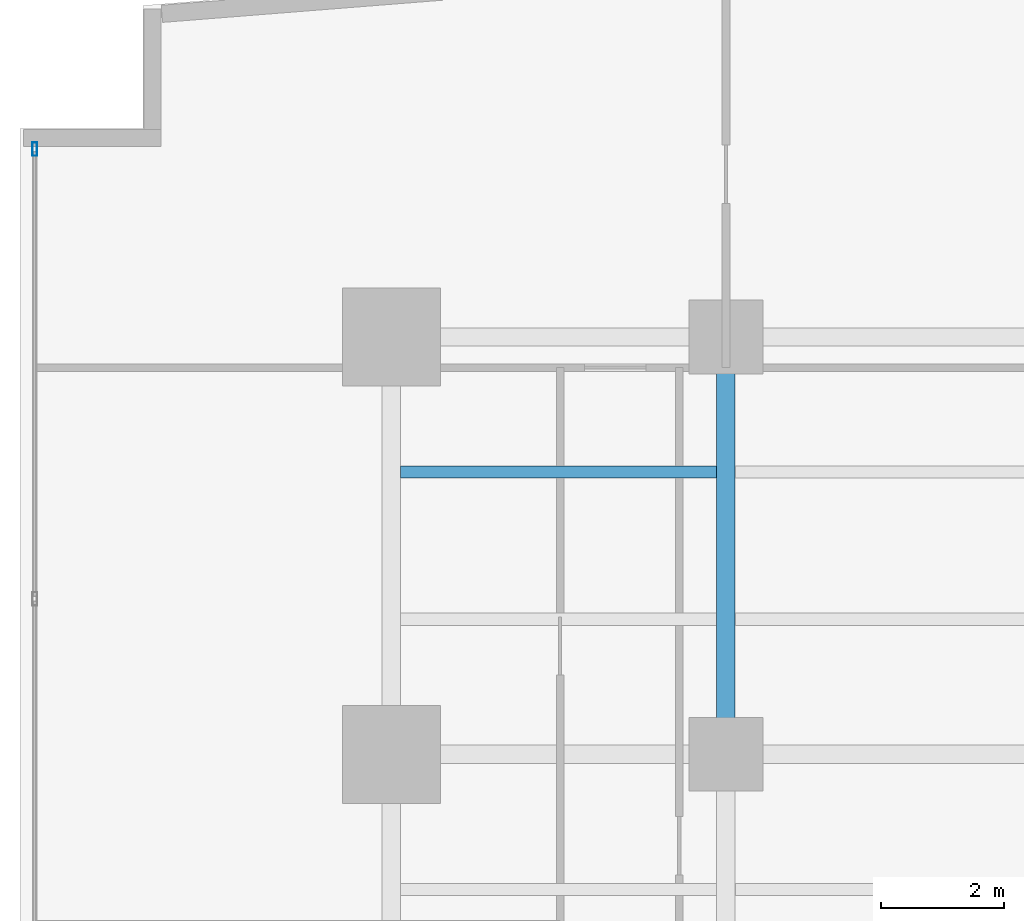
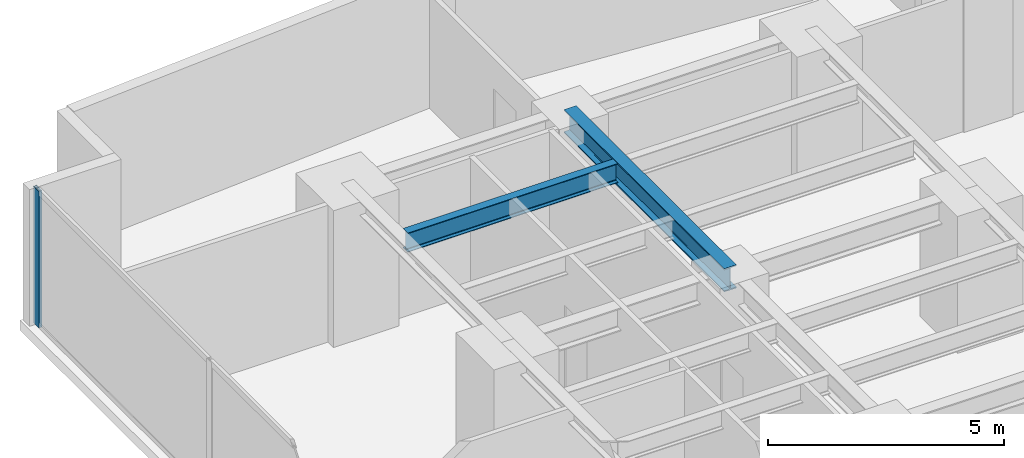
# One storey, part 17 of 28: 2 beams, 1 member, 1 element without a shape of its own.
"""IFC4 building model written with IfcOpenShell, lengths in metres."""

from ifc_helpers import new_model, si_unit, direction, frame, origin, origin_with_axes, origin_2d, place, context, subcontext, project, spatial, hollow_rectangle, i_section, extrude, source, transform, mapped, material, layer, layer_set, material_profile, profile_set, type_object, element, aggregate, save


model = new_model("IFC4")

# Units and contexts
model_context = context("Model", 3, precision=1e-05, world=origin(), true_north=direction((0.0, 1.0)))
body_context = subcontext(model_context, "Body", "Model", "MODEL_VIEW")
ifc_project = project(units=[si_unit("LENGTHUNIT", "METRE"), si_unit("AREAUNIT", "SQUARE_METRE"), si_unit("VOLUMEUNIT", "CUBIC_METRE"), si_unit("PLANEANGLEUNIT", "RADIAN"), si_unit("MASSUNIT", "GRAM", prefix="KILO")], contexts=[model_context])

# Site, building, storey
site_placement = place(None, origin())
site = spatial("IfcSite", under=ifc_project, at=site_placement, CompositionType="ELEMENT")
building_placement = place(site_placement, origin())
building = spatial("IfcBuilding", under=site, at=building_placement, Name="Kolvaren Waterfront Exchange", CompositionType="ELEMENT")
storey_placement = place(building_placement, frame((0.0, 0.0, 75.199951171875)))
storey = spatial("IfcBuildingStorey", under=building, at=storey_placement, Name="L19", CompositionType="ELEMENT", Elevation=75.199951171875)

# Beams
ifc_material_1 = material(Name="Steel S355", Category="steel")
ifc_material_profile_1 = material_profile(ifc_material_1, i_section(OverallWidth=0.300048828125, OverallDepth=0.60009765625, WebThickness=0.015380859375, FlangeThickness=0.030029296875, FilletRadius=0.027099609375, at=origin_2d()), Name="HEB600")
ifc_profile_set_1 = profile_set([ifc_material_profile_1], Name="Steel S355")
beam_type_1 = type_object("IfcBeamType", Name="STR-BM-HEB600", PredefinedType="BEAM", material=ifc_profile_set_1)
beam_1_placement = place(storey_placement, frame((12.89990234375, 37.800048828125, 3.239990234375), z_axis=(0.0, 1.0, 0.0), x_axis=(-1.0, 0.0, 0.0)))
element("IfcBeam", 1, at=beam_1_placement, inside=storey, type_object=beam_type_1, Name="L19 north-arm edge beam 3", PredefinedType="BEAM", context=body_context, shape_type="SweptSolid", body=[
    extrude(i_section(OverallWidth=0.300048828125, OverallDepth=0.60009765625, WebThickness=0.015380859375, FlangeThickness=0.030029296875, FilletRadius=0.027099609375, at=origin_2d()), origin(), (0.0, 0.0, 1.0), 6.800048828125),
])
ifc_material_profile_2 = material_profile(ifc_material_1, i_section(OverallWidth=0.199951171875, OverallDepth=0.5, WebThickness=0.01025390625, FlangeThickness=0.01611328125, FilletRadius=0.02099609375, at=origin_2d()), Name="IPE500")
ifc_profile_set_2 = profile_set([ifc_material_profile_2], Name="Steel S355")
beam_type_2 = type_object("IfcBeamType", Name="STR-BM-IPE500", PredefinedType="JOIST", material=ifc_profile_set_2)
beam_2_placement = place(storey_placement, frame((7.60205078125, 42.39990234375, 3.2900390625), z_axis=(1.0, 0.0, 0.0), x_axis=(0.0, 1.0, 0.0)))
element("IfcBeam", 2, at=beam_2_placement, inside=storey, type_object=beam_type_2, Name="L19 north-arm composite joist 6A", PredefinedType="JOIST", context=body_context, shape_type="SweptSolid", body=[
    extrude(i_section(OverallWidth=0.199951171875, OverallDepth=0.5, WebThickness=0.01025390625, FlangeThickness=0.01611328125, FilletRadius=0.02099609375, at=origin_2d()), origin(), (0.0, 0.0, 1.0), 5.14599609375),
])

# Curtain wall, member
ifc_material_2 = material(Name="Anodised aluminium 6063-T6", Category="aluminium")
ifc_layer = layer(ifc_material_2, 0.219970703125, Name="Anodised aluminium 6063-T6")
ifc_layer_set = layer_set([ifc_layer], Name="Anodised aluminium 6063-T6")
curtain_wall_type = type_object("IfcCurtainWallType", Name="ARC-CW-SYS2", PredefinedType="USERDEFINED", material=ifc_layer_set)
curtain_wall_placement = place(storey_placement, origin())
curtain_wall = element("IfcCurtainWall", 3, at=curtain_wall_placement, inside=storey, type_object=curtain_wall_type, Name="L19 stick curtain wall CW2 (CW-L19-W)", ObjectType="STICK CURTAIN WALL", PredefinedType="USERDEFINED")
ifc_material_profile_3 = material_profile(ifc_material_2, hollow_rectangle(XDim=0.080078125, YDim=0.219970703125, WallThickness=0.0048828125, at=origin_2d()), Name="ALU-MUL-220x80x5")
ifc_profile_set_3 = profile_set([ifc_material_profile_3], Name="Anodised aluminium 6063-T6")
member_type = type_object("IfcMemberType", Name="ARC-CWM-220", PredefinedType="MULLION", material=ifc_profile_set_3)
shared_shape = source(origin_with_axes(), body_context, "Body", "SweptSolid", [
    extrude(hollow_rectangle(XDim=0.080078125, YDim=0.219970703125, WallThickness=0.0048828125, at=origin_2d()), origin(), (0.0, 0.0, 1.0), 3.5400390625),
])
member_placement = place(storey_placement, frame((1.639892578125, 47.659912109375, 0.0), z_axis=(0.0, 0.0, 1.0), x_axis=(-1.0, 0.0, 0.0)))
member = element("IfcMember", 4, at=member_placement, type_object=member_type, Name="CW2 mullion 7", PredefinedType="MULLION", context=body_context, shape_type="MappedRepresentation", body=[
    mapped(shared_shape, transform((0.0, 0.0, 0.0), x_axis=(1.0, 0.0, 0.0), y_axis=(0.0, 1.0, 0.0), z_axis=(0.0, 0.0, 1.0), scale=1.0)),
])
aggregate(curtain_wall, [member])

save(model, "model.ifc")
